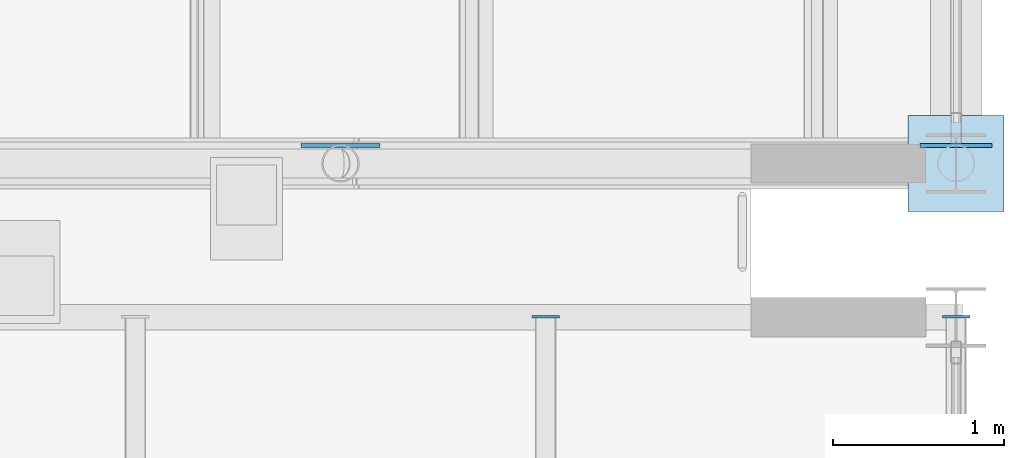
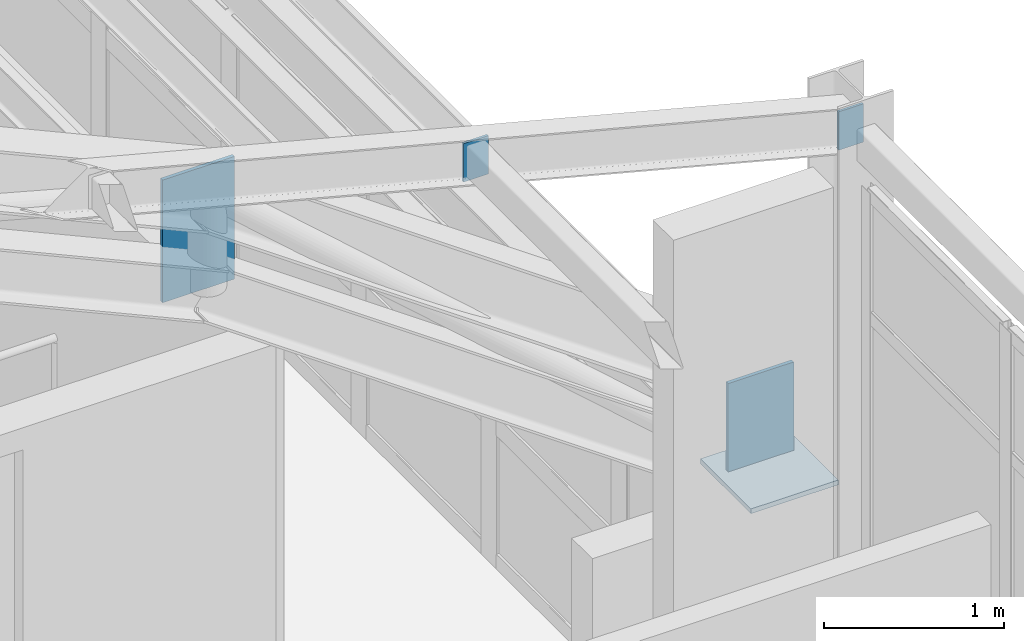
# One storey, part 108 of 121: 5 plates.
"""IFC4 building model written with IfcOpenShell, lengths in metres."""

from ifc_helpers import new_model, si_unit, direction, frame, origin, origin_2d, place, context, subcontext, project, spatial, rectangle, extrude, material, layer, layer_set, type_object, element, save


model = new_model("IFC4")

# Units and contexts
model_context = context("Model", 3, precision=1e-05, world=origin(), true_north=direction((0.0, 1.0)))
body_context = subcontext(model_context, "Body", "Model", "MODEL_VIEW")
ifc_project = project(units=[si_unit("LENGTHUNIT", "METRE"), si_unit("AREAUNIT", "SQUARE_METRE"), si_unit("VOLUMEUNIT", "CUBIC_METRE"), si_unit("PLANEANGLEUNIT", "RADIAN"), si_unit("MASSUNIT", "GRAM", prefix="KILO")], contexts=[model_context])

# Site, building, storey
site_placement = place(None, origin())
site = spatial("IfcSite", under=ifc_project, at=site_placement, CompositionType="ELEMENT")
building_placement = place(site_placement, origin())
building = spatial("IfcBuilding", under=site, at=building_placement, Name="Canglan Escarpment Cableway Terminal", CompositionType="ELEMENT")
storey_placement = place(building_placement, frame((0.0, 0.0, 24.60009765625)))
storey = spatial("IfcBuildingStorey", under=building, at=storey_placement, Name="L05", CompositionType="ELEMENT", Elevation=24.60009765625)

# Plates
ifc_material = material(Name="Steel Q355B", Category="steel")
ifc_layer_1 = layer(ifc_material, 0.031982421875, Name="Steel Q355B")
ifc_layer_set_1 = layer_set([ifc_layer_1], Name="Steel Q355B")
plate_type_1 = type_object("IfcPlateType", Name="PLT-BASE-32", PredefinedType="USERDEFINED", material=ifc_layer_set_1)
plate_1_placement = place(storey_placement, frame((166.39990234375, 34.0, 2.4326171875), z_axis=(0.0, 0.0, 1.0), x_axis=(1.0, 0.0, 0.0)))
element("IfcPlate", 1, at=plate_1_placement, inside=storey, type_object=plate_type_1, Name="Arch springing base plate BP-01", ObjectType="BASE PLATE", PredefinedType="USERDEFINED", context=body_context, shape_type="SweptSolid", body=[
    extrude(rectangle(XDim=0.56005859375, YDim=0.56005859375, at=origin_2d()), origin(), (0.0, 0.0, 1.0), 0.031982421875),
])
ifc_layer_2 = layer(ifc_material, 0.01611328125, Name="Steel Q355B")
ifc_layer_set_2 = layer_set([ifc_layer_2], Name="Steel Q355B")
plate_type_2 = type_object("IfcPlateType", Name="PLT-CAP-16", PredefinedType="SHEET", material=ifc_layer_set_2)
for number, where, z_axis, x_axis, name in (
    (2, (164.0, 33.10400390625, 5.82470703125), (0.0, 0.0, 1.0), (1.0, 0.0, 0.0), "Welded hollow purlin end cap plate CP-01"),
    (3, (166.39990234375, 33.10400390625, 5.19970703125), (0.0, 0.0, 1.0), (1.0, 0.0, 0.0), "Welded hollow purlin end cap plate CP-01"),
):
    element("IfcPlate", number, at=place(storey_placement, frame(where, z_axis=z_axis, x_axis=x_axis)), inside=storey, type_object=plate_type_2, Name=name, PredefinedType="SHEET", context=body_context, shape_type="SweptSolid", body=[
        extrude(rectangle(XDim=0.159912109375, YDim=0.01611328125, at=origin_2d()), origin(), (0.0, 0.0, 1.0), 0.260009765625),
    ])
ifc_layer_3 = layer(ifc_material, 0.02392578125, Name="Steel Q355B")
ifc_layer_set_3 = layer_set([ifc_layer_3], Name="Steel Q355B")
plate_type_3 = type_object("IfcPlateType", Name="PLT-GUSSET-24", PredefinedType="USERDEFINED", material=ifc_layer_set_3)
plate_2_placement = place(storey_placement, frame((162.800048828125, 34.10498046875, 4.87646484375), z_axis=(0.0, 0.0, 1.0), x_axis=(1.0, 0.0, 0.0)))
element("IfcPlate", 4, at=plate_2_placement, inside=storey, type_object=plate_type_3, Name="Arch-truss node gusset plate GP-01", ObjectType="GUSSET PLATE", PredefinedType="USERDEFINED", context=body_context, shape_type="SweptSolid", body=[
    extrude(rectangle(XDim=0.4599609375, YDim=0.02392578125, at=origin_2d()), origin(), (0.0, 0.0, 1.0), 0.830078125),
])
plate_3_placement = place(storey_placement, frame((166.39990234375, 34.10498046875, 2.4521484375), z_axis=(0.0, 0.0, 1.0), x_axis=(1.0, 0.0, 0.0)))
element("IfcPlate", 5, at=plate_3_placement, inside=storey, type_object=plate_type_3, Name="Arch-truss springing gusset plate GP-01", ObjectType="GUSSET PLATE", PredefinedType="USERDEFINED", context=body_context, shape_type="SweptSolid", body=[
    extrude(rectangle(XDim=0.419921875, YDim=0.02392578125, at=origin_2d()), origin(), (0.0, 0.0, 1.0), 0.610107421875),
])

save(model, "model.ifc")
